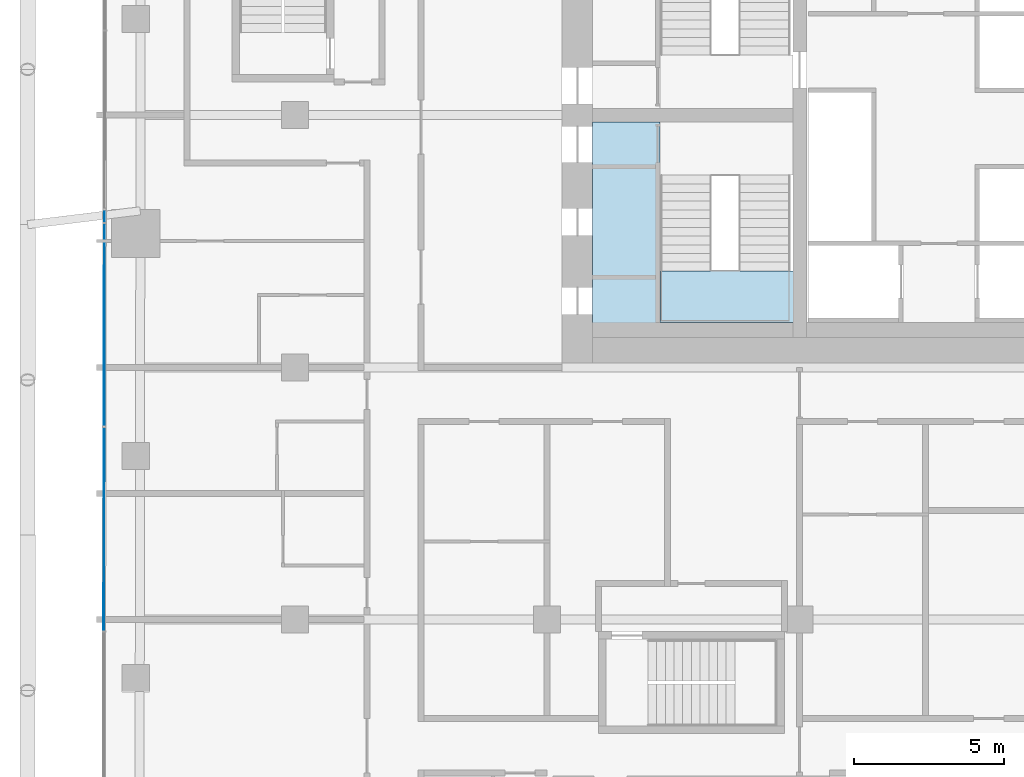
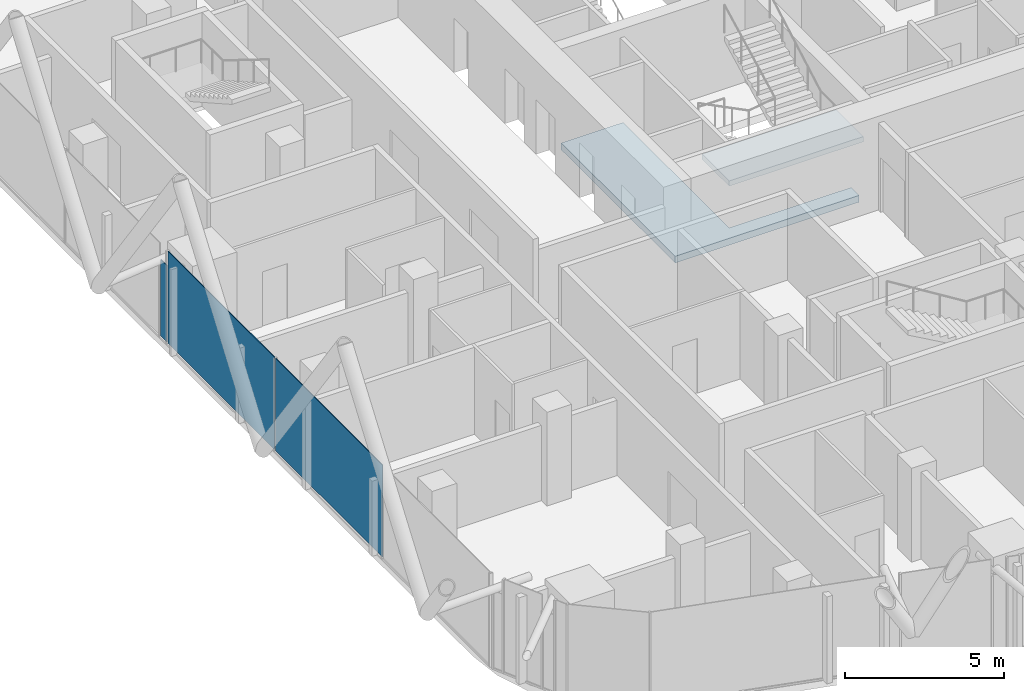
# One storey, part 20 of 36: 3 plates, 2 slabs, 3 elements without a shape of their own.
"""IFC4 building model written with IfcOpenShell, lengths in metres."""

from ifc_helpers import new_model, si_unit, direction, frame, origin, origin_2d, place, context, subcontext, project, spatial, polyline, rectangle, outline, extrude, material, layer, layer_set, type_object, element, aggregate, save


model = new_model("IFC4")

# Units and contexts
model_context = context("Model", 3, precision=1e-05, world=origin(), true_north=direction((0.0, 1.0)))
body_context = subcontext(model_context, "Body", "Model", "MODEL_VIEW")
ifc_project = project(units=[si_unit("LENGTHUNIT", "METRE"), si_unit("AREAUNIT", "SQUARE_METRE"), si_unit("VOLUMEUNIT", "CUBIC_METRE"), si_unit("PLANEANGLEUNIT", "RADIAN"), si_unit("MASSUNIT", "GRAM", prefix="KILO")], contexts=[model_context])

# Site, building, storey
site_placement = place(None, origin())
site = spatial("IfcSite", under=ifc_project, at=site_placement, CompositionType="ELEMENT")
building_placement = place(site_placement, origin())
building = spatial("IfcBuilding", under=site, at=building_placement, Name="Marenta Gate Hotel Tower", CompositionType="ELEMENT")
storey_placement = place(building_placement, frame((0.0, 0.0, 158.89990234375)))
storey = spatial("IfcBuildingStorey", under=building, at=storey_placement, Name="L37", CompositionType="ELEMENT", Elevation=158.89990234375)

# Slab
ifc_material_1 = material(Name="Concrete C40", Category="concrete")
ifc_layer_1 = layer(ifc_material_1, 0.260009765625)
ifc_layer_set_1 = layer_set([ifc_layer_1], Name="Concrete C40")
slab_type_1 = type_object("IfcSlabType", Name="Core floor slab 260", PredefinedType="FLOOR", material=ifc_layer_set_1)
slab_1_placement = place(storey_placement, frame((0.0, 0.0, -0.260009765625)))
element("IfcSlab", 1, at=slab_1_placement, inside=storey, type_object=slab_type_1, Name="L37-CF-5", PredefinedType="FLOOR", context=body_context, shape_type="SweptSolid", body=[
    extrude(outline(polyline([(-8.85009765625, 8.175048828125), (-8.85009765625, 8.10009765625), (-8.85009765625, 6.39990234375), (-8.85009765625, 1.5), (-4.425048828125, 1.5), (-4.425048828125, 1.0), (-11.10009765625, 1.0), (-11.10009765625, 8.175048828125), (-8.85009765625, 8.175048828125)])), origin(), (0.0, 0.0, 1.0), 0.260009765625),
])

# Stair, slab
ifc_material_2 = material(Name="Concrete C40", Category="concrete")
stair_type = type_object("IfcStairType", Name="Core exit stair 1700 wide", PredefinedType="HALF_TURN_STAIR", material=ifc_material_2)
stair_placement = place(storey_placement, origin())
stair = element("IfcStair", 2, at=stair_placement, inside=storey, type_object=stair_type, Name="Exit stair 1", PredefinedType="HALF_TURN_STAIR")
ifc_material_3 = material(Name="Concrete C40", Category="concrete")
ifc_layer_2 = layer(ifc_material_3, 0.199951171875)
ifc_layer_set_2 = layer_set([ifc_layer_2], Name="Concrete C40")
slab_type_2 = type_object("IfcSlabType", Name="Core stair landing 200", PredefinedType="LANDING", material=ifc_layer_set_2)
slab_2_placement = place(storey_placement, frame((0.0, 0.0, 1.60009765625)))
slab_2 = element("IfcSlab", 3, at=slab_2_placement, type_object=slab_type_2, Name="SL-200 ST1 landing 1", PredefinedType="LANDING", context=body_context, shape_type="SweptSolid", body=[
    extrude(outline(polyline([(-8.85009765625, 1.5), (-3.97509765625, 1.5), (-3.97509765625, 3.2099609375), (-8.85009765625, 3.2099609375), (-8.85009765625, 1.5)])), origin(), (0.0, 0.0, 1.0), 0.199951171875),
])
aggregate(stair, [slab_2])

# Curtain wall, plate
ifc_material_4 = material(Name="Tinted insulated glass in bronze anodised frame", Category="glass")
ifc_layer_3 = layer(ifc_material_4, 0.1201171875)
ifc_layer_set_3 = layer_set([ifc_layer_3], Name="Tinted insulated glass in bronze anodised frame")
curtain_wall_type = type_object("IfcCurtainWallType", Name="Tower unitised curtain wall CW1", PredefinedType="NOTDEFINED", material=ifc_layer_set_3)
curtain_wall_1_placement = place(storey_placement, origin())
curtain_wall_1 = element("IfcCurtainWall", 4, at=curtain_wall_1_placement, inside=storey, type_object=curtain_wall_type, Name="CW1 run G07", PredefinedType="NOTDEFINED")
ifc_material_5 = material(Name="Tinted insulated glass", Category="glass")
ifc_layer_4 = layer(ifc_material_5, 0.028076171875)
ifc_layer_set_4 = layer_set([ifc_layer_4], Name="Tinted insulated glass")
plate_type = type_object("IfcPlateType", Name="Glass panel CW1 28 mm tinted insulated unit", PredefinedType="CURTAIN_PANEL", material=ifc_layer_set_4)
plate_1_placement = place(storey_placement, frame((-27.340576171875, 5.03369140625, 0.060302734375), z_axis=(0.0, 0.0, 1.0), x_axis=(-0.001533404542, -0.999998824335, 0.0)))
plate_1 = element("IfcPlate", 5, at=plate_1_placement, type_object=plate_type, Name="CW1 panel 1.1", PredefinedType="CURTAIN_PANEL", context=body_context, shape_type="SweptSolid", body=[
    extrude(rectangle(XDim=0.396484375, YDim=0.028076171875, at=origin_2d()), origin(), (0.0, 0.0, 1.0), 2.9404296875),
])
aggregate(curtain_wall_1, [plate_1])

# Curtain wall, plates
curtain_wall_2_placement = place(storey_placement, origin())
curtain_wall_2 = element("IfcCurtainWall", 6, at=curtain_wall_2_placement, inside=storey, type_object=curtain_wall_type, Name="CW1 run G08", PredefinedType="NOTDEFINED")
plate_2_placement = place(storey_placement, frame((-27.34619140625, 1.412353515625, 0.06005859375), z_axis=(0.0, 0.0, 1.0), x_axis=(-0.001564882094, -0.999998775571, 0.0)))
plate_2 = element("IfcPlate", 7, at=plate_2_placement, type_object=plate_type, Name="CW1 panel 1.1", PredefinedType="CURTAIN_PANEL", context=body_context, shape_type="SweptSolid", body=[
    extrude(rectangle(XDim=6.726318359375, YDim=0.028076171875, at=origin_2d()), origin(), (0.0, 0.0, 1.0), 3.5400390625),
])
plate_3_placement = place(storey_placement, frame((-27.35693359375, -5.388916015625, 0.06005859375), z_axis=(0.0, 0.0, 1.0), x_axis=(-0.001564882094, -0.999998775571, 0.0)))
plate_3 = element("IfcPlate", 8, at=plate_3_placement, type_object=plate_type, Name="CW1 panel 2.1", PredefinedType="CURTAIN_PANEL", context=body_context, shape_type="SweptSolid", body=[
    extrude(rectangle(XDim=6.75634765625, YDim=0.028076171875, at=origin_2d()), origin(), (0.0, 0.0, 1.0), 3.5400390625),
])
aggregate(curtain_wall_2, [plate_2, plate_3])

save(model, "model.ifc")
